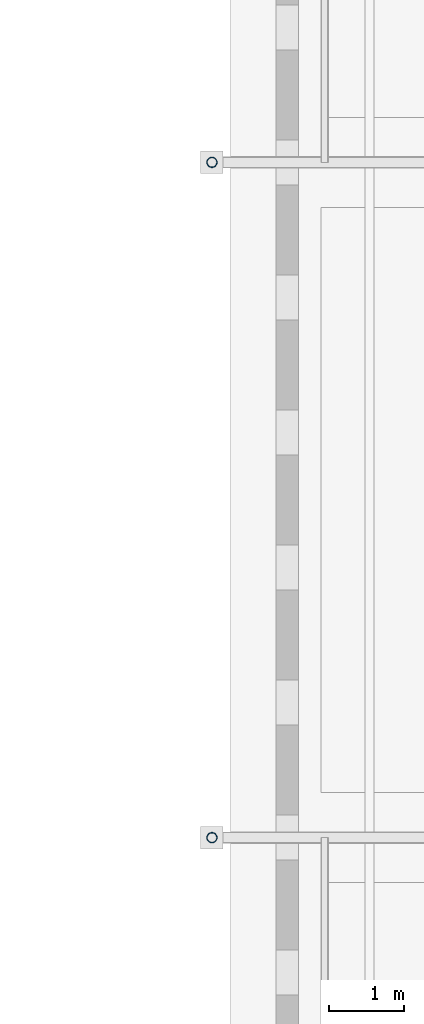
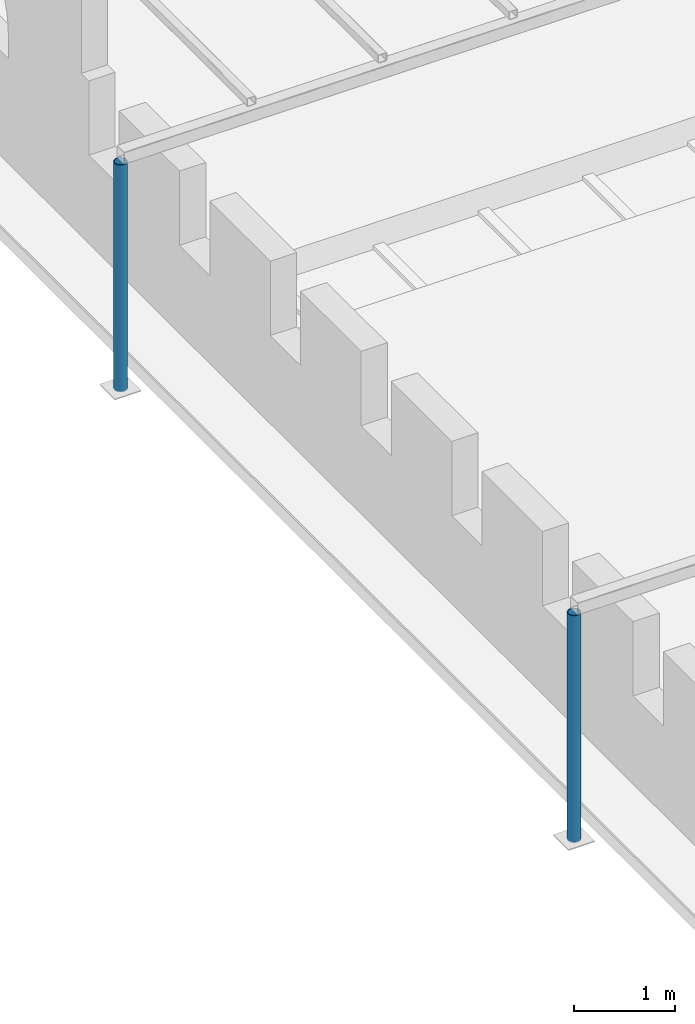
# One storey, part 2 of 37: 2 columns.
"""IFC4 building model written with IfcOpenShell, lengths in metres."""

from ifc_helpers import new_model, si_unit, direction, frame, origin, origin_2d, place, context, subcontext, project, spatial, hollow_circle, extrude, material, material_profile, profile_set, type_object, element, save


model = new_model("IFC4")

# Units and contexts
model_context = context("Model", 3, precision=1e-05, world=origin(), true_north=direction((0.0, 1.0)))
body_context = subcontext(model_context, "Body", "Model", "MODEL_VIEW")
ifc_project = project(units=[si_unit("LENGTHUNIT", "METRE"), si_unit("AREAUNIT", "SQUARE_METRE"), si_unit("VOLUMEUNIT", "CUBIC_METRE"), si_unit("PLANEANGLEUNIT", "RADIAN"), si_unit("MASSUNIT", "GRAM", prefix="KILO")], contexts=[model_context])

# Site, building, storey
site_placement = place(None, origin())
site = spatial("IfcSite", under=ifc_project, at=site_placement, CompositionType="ELEMENT")
building_placement = place(site_placement, origin())
building = spatial("IfcBuilding", under=site, at=building_placement, Name="Baradari Gate Terminus", CompositionType="ELEMENT")
storey_placement = place(building_placement, frame((0.0, 0.0, 24.300048828125)))
storey = spatial("IfcBuildingStorey", under=building, at=storey_placement, Name="L05", CompositionType="ELEMENT", Elevation=24.300048828125)

# Columns
ifc_material = material(Name="Steel S355", Category="steel")
ifc_material_profile = material_profile(ifc_material, hollow_circle(Radius=0.06982421875, WallThickness=0.008056640625, at=origin_2d()), Name="CHS 139.7x8")
ifc_profile_set = profile_set([ifc_material_profile], Name="Steel S355")
column_type = type_object("IfcColumnType", Name="Pergola post CHS 139.7x8", PredefinedType="COLUMN", material=ifc_profile_set)
for number, where, z_axis, x_axis, name in (
    (1, (72.0, 45.0, -0.150146484375), (0.0, 0.0, 1.0), (1.0, 0.0, 0.0), "RF/L05/PGG1-PGC4"),
    (2, (72.0, 54.0, -0.150146484375), (0.0, 0.0, 1.0), (1.0, 0.0, 0.0), "RF/L05/PGG2-PGC1"),
):
    element("IfcColumn", number, at=place(storey_placement, frame(where, z_axis=z_axis, x_axis=x_axis)), inside=storey, type_object=column_type, Name=name, PredefinedType="COLUMN", context=body_context, shape_type="SweptSolid", body=[
        extrude(hollow_circle(Radius=0.06982421875, WallThickness=0.008056640625, at=origin_2d()), origin(), (0.0, 0.0, 1.0), 2.75),
    ])

save(model, "model.ifc")
